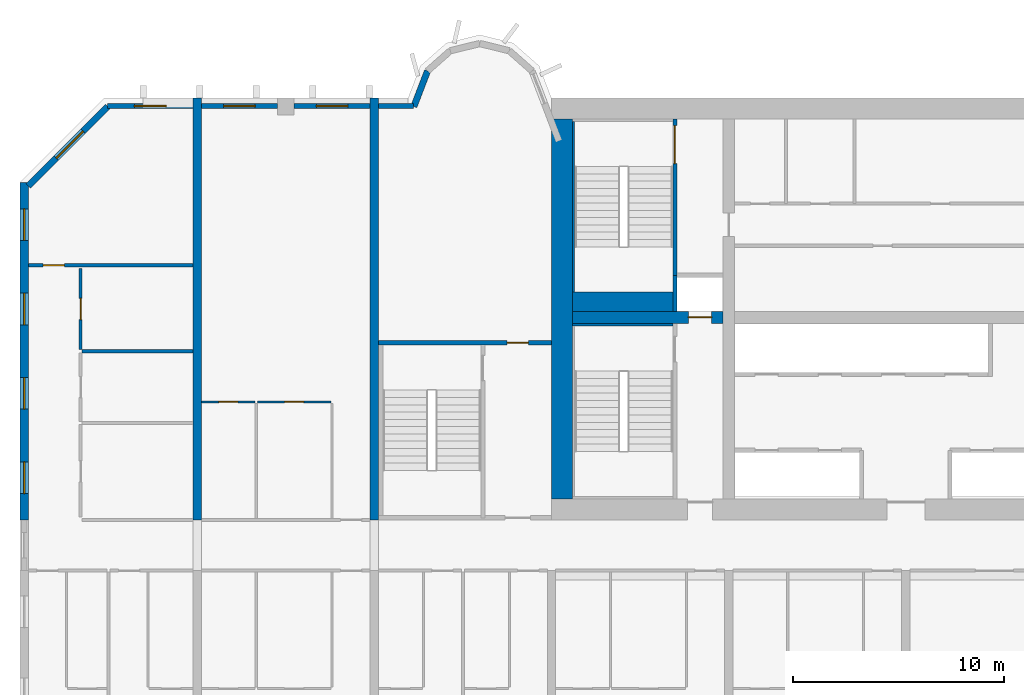
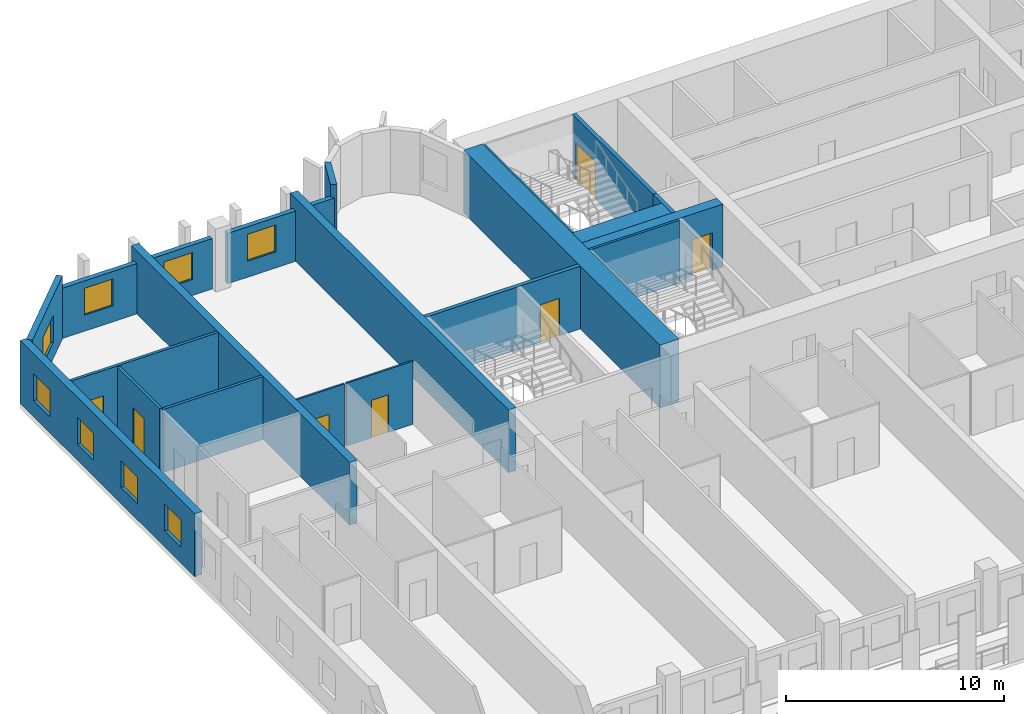
# One storey, part 6 of 14: 22 walls, 8 windows, 7 doors, 15 openings.
"""IFC4 building model written with IfcOpenShell, lengths in metres."""

from ifc_helpers import new_model, si_unit, direction, frame, frame_2d, origin, place, context, subcontext, project, spatial, rectangle, extrude, source, transform, mapped, material, layer, layer_set, type_object, element, fill, save


model = new_model("IFC4")

# Units and contexts
model_context = context("Model", 3, precision=1e-05, world=origin(), true_north=direction((0.0, 1.0)))
body_context = subcontext(model_context, "Body", "Model", "MODEL_VIEW")
ifc_project = project(units=[si_unit("LENGTHUNIT", "METRE"), si_unit("AREAUNIT", "SQUARE_METRE"), si_unit("VOLUMEUNIT", "CUBIC_METRE"), si_unit("PLANEANGLEUNIT", "RADIAN"), si_unit("MASSUNIT", "GRAM", prefix="KILO")], contexts=[model_context])

# Site, building, storey
site_placement = place(None, origin())
site = spatial("IfcSite", under=ifc_project, at=site_placement, CompositionType="ELEMENT")
building_placement = place(site_placement, origin())
building = spatial("IfcBuilding", under=site, at=building_placement, Name="Vanashikhar Sky Hotel", CompositionType="ELEMENT")
storey_placement = place(building_placement, frame((0.0, 0.0, 54.39990234375)))
storey = spatial("IfcBuildingStorey", under=building, at=storey_placement, Name="L12", CompositionType="ELEMENT", Elevation=54.39990234375)

# Wall
ifc_material_1 = material(Name="Concrete M80", Category="concrete")
ifc_layer_1 = layer(ifc_material_1, 1.0)
ifc_layer_set_1 = layer_set([ifc_layer_1], Name="RC core shell wall 1000 Concrete M80")
wall_type_1 = type_object("IfcWallType", Name="RC core shell wall 1000 Concrete M80", PredefinedType="SHEAR", material=ifc_layer_set_1)
shared_shape_1 = source(origin(), body_context, "Body", "SweptSolid", [
    extrude(rectangle(XDim=18.0, YDim=1.0, at=frame_2d((9.0, 0.0))), origin(), (0.0, 0.0, 1.0), 3.52001953125),
])
wall_1_placement = place(storey_placement, frame((25.699951171875, 23.0, 0.0), z_axis=(0.0, 0.0, 1.0), x_axis=(0.0, 1.0, 0.0)))
element("IfcWall", 1, at=wall_1_placement, inside=storey, type_object=wall_type_1, Name="KW-L12-KW", PredefinedType="SHEAR", context=body_context, shape_type="MappedRepresentation", body=[
    mapped(shared_shape_1, transform((0.0, 0.0, 0.0), scale=1.0)),
])

# Wall, opening, door
ifc_layer_2 = layer(ifc_material_1, 0.550048828125)
ifc_layer_set_2 = layer_set([ifc_layer_2], Name="RC core inner wall 550 Concrete M80")
wall_type_2 = type_object("IfcWallType", Name="RC core inner wall 550 Concrete M80", PredefinedType="SHEAR", material=ifc_layer_set_2)
shared_shape_2 = source(origin(), body_context, "Body", "SweptSolid", [
    extrude(rectangle(XDim=7.125, YDim=0.550048828125, at=frame_2d((3.5625, 0.0))), origin(), (0.0, 0.0, 1.0), 3.52001953125),
])
wall_2_placement = place(storey_placement, frame((26.199951171875, 31.60009765625, 0.0), z_axis=(0.0, 0.0, 1.0), x_axis=(1.0, 0.0, 0.0)))
wall_2 = element("IfcWall", 2, at=wall_2_placement, inside=storey, type_object=wall_type_2, Name="KW-L12-KY1", PredefinedType="SHEAR", context=body_context, shape_type="MappedRepresentation", body=[
    mapped(shared_shape_2, transform((0.0, 0.0, 0.0), scale=1.0)),
])
shared_shape_3 = source(origin(), body_context, "Body", "SweptSolid", [
    extrude(rectangle(XDim=1.10009765625, YDim=2.10009765625, at=frame_2d((0.550048828125, 1.050048828125))), frame((0.0, 0.28515625, 0.0), z_axis=(0.0, -1.0, 0.0), x_axis=(1.0, 0.0, 0.0)), (0.0, 0.0, 1.0), 0.570068359375),
])
opening_1_placement = place(wall_2_placement, frame((5.488037109375, 0.0, 0.0)))
opening_1 = element("IfcOpeningElement", 3, at=opening_1_placement, cuts=wall_2, Name="Opening LD", PredefinedType="OPENING", context=body_context, shape_type="MappedRepresentation", body=[
    mapped(shared_shape_3, transform((0.0, 0.0, 0.0), scale=1.0)),
])
ifc_material_2 = material(Name="Stainless steel", Category="steel")
door_type_1 = type_object("IfcDoorType", Name="Lift landing door 1100", OperationType="NOTDEFINED", PredefinedType="DOOR", material=ifc_material_2)
shared_shape_4 = source(origin(), body_context, "Body", "SweptSolid", [
    extrude(rectangle(XDim=1.10009765625, YDim=2.10009765625, at=frame_2d((0.550048828125, 1.050048828125))), frame((0.0, 0.02490234375, 0.0), z_axis=(0.0, -1.0, 0.0), x_axis=(1.0, 0.0, 0.0)), (0.0, 0.0, 1.0), 0.050048828125),
])
door_1_placement = place(opening_1_placement, origin())
door_1 = element("IfcDoor", 4, at=door_1_placement, inside=storey, type_object=door_type_1, Name="Lift landing door 1100", OperationType="SLIDING_TO_LEFT", OverallHeight=2.10009765625, OverallWidth=1.10009765625, PredefinedType="DOOR", context=body_context, shape_type="MappedRepresentation", body=[
    mapped(shared_shape_4, transform((0.0, 0.0, 0.0), scale=1.0)),
])
fill(opening_1, door_1)

# Wall, openings, windows
ifc_layer_3 = layer(ifc_material_1, 0.39990234375)
ifc_layer_set_3 = layer_set([ifc_layer_3], Name="RC shear wall 400 Concrete M80")
wall_type_3 = type_object("IfcWallType", Name="RC shear wall 400 Concrete M80", PredefinedType="SHEAR", material=ifc_layer_set_3)
shared_shape_5 = source(origin(), body_context, "Body", "SweptSolid", [
    extrude(rectangle(XDim=16.0, YDim=0.39990234375, at=frame_2d((8.0, 0.0))), origin(), (0.0, 0.0, 1.0), 3.52001953125),
])
wall_3_placement = place(storey_placement, frame((0.199951171875, 22.0, 0.0), z_axis=(0.0, 0.0, 1.0), x_axis=(0.0, 1.0, 0.0)))
wall_3 = element("IfcWall", 5, at=wall_3_placement, inside=storey, type_object=wall_type_3, Name="CW-L12-XW01-2", PredefinedType="SHEAR", context=body_context, shape_type="MappedRepresentation", body=[
    mapped(shared_shape_5, transform((0.0, 0.0, 0.0), scale=1.0)),
])
shared_shape_6 = source(origin(), body_context, "Body", "SweptSolid", [
    extrude(rectangle(XDim=1.5, YDim=1.5, at=frame_2d((0.75, 0.75))), frame((0.0, 0.2099609375, 0.0), z_axis=(0.0, -1.0, 0.0), x_axis=(1.0, 0.0, 0.0)), (0.0, 0.0, 1.0), 0.419921875),
])
opening_2_placement = place(wall_3_placement, frame((1.25, 0.0, 0.89990234375)))
opening_2 = element("IfcOpeningElement", 6, at=opening_2_placement, cuts=wall_3, Name="Opening WN-1", PredefinedType="OPENING", context=body_context, shape_type="MappedRepresentation", body=[
    mapped(shared_shape_6, transform((0.0, 0.0, 0.0), scale=1.0)),
])
opening_3_placement = place(wall_3_placement, frame((5.25, 0.0, 0.89990234375)))
opening_3 = element("IfcOpeningElement", 7, at=opening_3_placement, cuts=wall_3, Name="Opening WN-1", PredefinedType="OPENING", context=body_context, shape_type="MappedRepresentation", body=[
    mapped(shared_shape_6, transform((0.0, 0.0, 0.0), scale=1.0)),
])
opening_4_placement = place(wall_3_placement, frame((9.25, 0.0, 0.89990234375)))
opening_4 = element("IfcOpeningElement", 8, at=opening_4_placement, cuts=wall_3, Name="Opening WN-1", PredefinedType="OPENING", context=body_context, shape_type="MappedRepresentation", body=[
    mapped(shared_shape_6, transform((0.0, 0.0, 0.0), scale=1.0)),
])
opening_5_placement = place(wall_3_placement, frame((13.25, 0.0, 0.89990234375)))
opening_5 = element("IfcOpeningElement", 9, at=opening_5_placement, cuts=wall_3, Name="Opening WN-1", PredefinedType="OPENING", context=body_context, shape_type="MappedRepresentation", body=[
    mapped(shared_shape_6, transform((0.0, 0.0, 0.0), scale=1.0)),
])
ifc_material_3 = material(Name="Glass", Category="glass")
window_type_1 = type_object("IfcWindowType", Name="Window 1500 x 1500", PartitioningType="SINGLE_PANEL", PredefinedType="WINDOW", material=ifc_material_3)
shared_shape_7 = source(origin(), body_context, "Body", "SweptSolid", [
    extrude(rectangle(XDim=1.5, YDim=1.5, at=frame_2d((0.75, 0.75))), frame((0.0, 0.030029296875, 0.0), z_axis=(0.0, -1.0, 0.0), x_axis=(1.0, 0.0, 0.0)), (0.0, 0.0, 1.0), 0.06005859375),
])
window_1_placement = place(opening_2_placement, origin())
window_1 = element("IfcWindow", 10, at=window_1_placement, inside=storey, type_object=window_type_1, Name="Window WN-1", OverallHeight=1.5, OverallWidth=1.5, PartitioningType="SINGLE_PANEL", PredefinedType="WINDOW", context=body_context, shape_type="MappedRepresentation", body=[
    mapped(shared_shape_7, transform((0.0, 0.0, 0.0), scale=1.0)),
])
fill(opening_2, window_1)
window_2_placement = place(opening_3_placement, origin())
window_2 = element("IfcWindow", 11, at=window_2_placement, inside=storey, type_object=window_type_1, Name="Window WN-1", OverallHeight=1.5, OverallWidth=1.5, PartitioningType="SINGLE_PANEL", PredefinedType="WINDOW", context=body_context, shape_type="MappedRepresentation", body=[
    mapped(shared_shape_7, transform((0.0, 0.0, 0.0), scale=1.0)),
])
fill(opening_3, window_2)
window_3_placement = place(opening_4_placement, origin())
window_3 = element("IfcWindow", 12, at=window_3_placement, inside=storey, type_object=window_type_1, Name="Window WN-1", OverallHeight=1.5, OverallWidth=1.5, PartitioningType="SINGLE_PANEL", PredefinedType="WINDOW", context=body_context, shape_type="MappedRepresentation", body=[
    mapped(shared_shape_7, transform((0.0, 0.0, 0.0), scale=1.0)),
])
fill(opening_4, window_3)
window_4_placement = place(opening_5_placement, origin())
window_4 = element("IfcWindow", 13, at=window_4_placement, inside=storey, type_object=window_type_1, Name="Window WN-1", OverallHeight=1.5, OverallWidth=1.5, PartitioningType="SINGLE_PANEL", PredefinedType="WINDOW", context=body_context, shape_type="MappedRepresentation", body=[
    mapped(shared_shape_7, transform((0.0, 0.0, 0.0), scale=1.0)),
])
fill(opening_5, window_4)

# Walls
shared_shape_8 = source(origin(), body_context, "Body", "SweptSolid", [
    extrude(rectangle(XDim=20.0, YDim=0.39990234375, at=frame_2d((10.0, 0.0))), origin(), (0.0, 0.0, 1.0), 3.52001953125),
])
for number, where, z_axis, x_axis, name in (
    (14, (8.39990234375, 22.0, 0.0), (0.0, 0.0, 1.0), (0.0, 1.0, 0.0), "CW-L12-XW02-2"),
    (15, (16.800048828125, 22.0, 0.0), (0.0, 0.0, 1.0), (0.0, 1.0, 0.0), "CW-L12-XW03-2"),
):
    element("IfcWall", number, at=place(storey_placement, frame(where, z_axis=z_axis, x_axis=x_axis)), inside=storey, type_object=wall_type_3, Name=name, PredefinedType="SHEAR", context=body_context, shape_type="MappedRepresentation", body=[
        mapped(shared_shape_8, transform((0.0, 0.0, 0.0), scale=1.0)),
    ])

# Wall, opening, window
ifc_material_4 = material(Name="Concrete M50", Category="concrete")
ifc_layer_4 = layer(ifc_material_4, 0.300048828125)
ifc_layer_set_4 = layer_set([ifc_layer_4], Name="Lobe wall 300")
wall_type_4 = type_object("IfcWallType", Name="Lobe wall 300", PredefinedType="SOLIDWALL", material=ifc_layer_set_4)
shared_shape_9 = source(origin(), body_context, "Body", "SweptSolid", [
    extrude(rectangle(XDim=5.32568359375, YDim=0.300048828125, at=frame_2d((2.662841796875, 0.0))), origin(), (0.0, 0.0, 1.0), 3.52001953125),
])
wall_4_placement = place(storey_placement, frame((4.165771484375, 41.60009765625, 0.0), z_axis=(0.0, 0.0, 1.0), x_axis=(-0.707106781187, -0.707106781187, 0.0)))
wall_4 = element("IfcWall", 16, at=wall_4_placement, inside=storey, type_object=wall_type_4, Name="Corner wall", PredefinedType="SOLIDWALL", context=body_context, shape_type="MappedRepresentation", body=[
    mapped(shared_shape_9, transform((0.0, 0.0, 0.0), scale=1.0)),
])
shared_shape_10 = source(origin(), body_context, "Body", "SweptSolid", [
    extrude(rectangle(XDim=1.800048828125, YDim=1.5, at=frame_2d((0.89990234375, 0.75))), frame((0.0, 0.16015625, 0.0), z_axis=(0.0, -1.0, 0.0), x_axis=(1.0, 0.0, 0.0)), (0.0, 0.0, 1.0), 0.320068359375),
])
opening_6_placement = place(wall_4_placement, frame((1.654296875, 0.0, 0.89990234375)))
opening_6 = element("IfcOpeningElement", 17, at=opening_6_placement, cuts=wall_4, Name="Opening WN-4", PredefinedType="OPENING", context=body_context, shape_type="MappedRepresentation", body=[
    mapped(shared_shape_10, transform((0.0, 0.0, 0.0), scale=1.0)),
])
window_type_2 = type_object("IfcWindowType", Name="Corner window 1800 x 1500", PartitioningType="SINGLE_PANEL", PredefinedType="WINDOW", material=ifc_material_3)
shared_shape_11 = source(origin(), body_context, "Body", "SweptSolid", [
    extrude(rectangle(XDim=1.800048828125, YDim=1.5, at=frame_2d((0.89990234375, 0.75))), frame((0.0, 0.030029296875, 0.0), z_axis=(0.0, -1.0, 0.0), x_axis=(1.0, 0.0, 0.0)), (0.0, 0.0, 1.0), 0.06005859375),
])
window_5_placement = place(opening_6_placement, origin())
window_5 = element("IfcWindow", 18, at=window_5_placement, inside=storey, type_object=window_type_2, Name="Window WN-4", OverallHeight=1.5, OverallWidth=1.800048828125, PartitioningType="SINGLE_PANEL", PredefinedType="WINDOW", context=body_context, shape_type="MappedRepresentation", body=[
    mapped(shared_shape_11, transform((0.0, 0.0, 0.0), scale=1.0)),
])
fill(opening_6, window_5)

# Walls
shared_shape_12 = source(origin(), body_context, "Body", "SweptSolid", [
    extrude(rectangle(XDim=1.81201171875, YDim=0.300048828125, at=frame_2d((0.906005859375, 0.0))), origin(), (0.0, 0.0, 1.0), 3.52001953125),
])
wall_5_placement = place(storey_placement, frame((19.323486328125, 43.2919921875, 0.0), z_axis=(0.0, 0.0, 1.0), x_axis=(-0.357877270961, -0.93376863244, 0.0)))
element("IfcWall", 19, at=wall_5_placement, inside=storey, type_object=wall_type_4, Name="Lobe wall", PredefinedType="SOLIDWALL", context=body_context, shape_type="MappedRepresentation", body=[
    mapped(shared_shape_12, transform((0.0, 0.0, 0.0), scale=1.0)),
])
ifc_layer_5 = layer(ifc_material_4, 0.25)
ifc_layer_set_5 = layer_set([ifc_layer_5], Name="Rear and end board-marked wall 250")
wall_type_5 = type_object("IfcWallType", Name="Rear and end board-marked wall 250", PredefinedType="SOLIDWALL", material=ifc_layer_set_5)
shared_shape_13 = source(origin(), body_context, "Body", "SweptSolid", [
    extrude(rectangle(XDim=1.657958984375, YDim=0.25, at=frame_2d((0.8291015625, 0.0))), origin(), (0.0, 0.0, 1.0), 2.820068359375),
])
wall_6_placement = place(storey_placement, frame((18.657958984375, 41.625, 0.0), z_axis=(0.0, 0.0, 1.0), x_axis=(-1.0, 0.0, 0.0)))
element("IfcWall", 20, at=wall_6_placement, inside=storey, type_object=wall_type_5, Name="Rear board-marked wall", PredefinedType="SOLIDWALL", context=body_context, shape_type="MappedRepresentation", body=[
    mapped(shared_shape_13, transform((0.0, 0.0, 0.0), scale=1.0)),
])

# Wall, opening, window
shared_shape_14 = source(origin(), body_context, "Body", "SweptSolid", [
    extrude(rectangle(XDim=3.60009765625, YDim=0.25, at=frame_2d((1.800048828125, 0.0))), origin(), (0.0, 0.0, 1.0), 2.820068359375),
])
wall_7_placement = place(storey_placement, frame((16.60009765625, 41.625, 0.0), z_axis=(0.0, 0.0, 1.0), x_axis=(-1.0, 0.0, 0.0)))
wall_7 = element("IfcWall", 21, at=wall_7_placement, inside=storey, type_object=wall_type_5, Name="Rear board-marked wall", PredefinedType="SOLIDWALL", context=body_context, shape_type="MappedRepresentation", body=[
    mapped(shared_shape_14, transform((0.0, 0.0, 0.0), scale=1.0)),
])
shared_shape_15 = source(origin(), body_context, "Body", "SweptSolid", [
    extrude(rectangle(XDim=1.5, YDim=1.5, at=frame_2d((0.75, 0.75))), frame((0.0, 0.135009765625, 0.0), z_axis=(0.0, -1.0, 0.0), x_axis=(1.0, 0.0, 0.0)), (0.0, 0.0, 1.0), 0.27001953125),
])
opening_7_placement = place(wall_7_placement, frame((1.050048828125, 0.0, 0.89990234375)))
opening_7 = element("IfcOpeningElement", 22, at=opening_7_placement, cuts=wall_7, Name="Opening WN-1", PredefinedType="OPENING", context=body_context, shape_type="MappedRepresentation", body=[
    mapped(shared_shape_15, transform((0.0, 0.0, 0.0), scale=1.0)),
])
window_6_placement = place(opening_7_placement, origin())
window_6 = element("IfcWindow", 23, at=window_6_placement, inside=storey, type_object=window_type_1, Name="Window WN-1", OverallHeight=1.5, OverallWidth=1.5, PartitioningType="SINGLE_PANEL", PredefinedType="WINDOW", context=body_context, shape_type="MappedRepresentation", body=[
    mapped(shared_shape_7, transform((0.0, 0.0, 0.0), scale=1.0)),
])
fill(opening_7, window_6)

shared_shape_16 = source(origin(), body_context, "Body", "SweptSolid", [
    extrude(rectangle(XDim=3.599853515625, YDim=0.25, at=frame_2d((1.7998046875, 0.0))), origin(), (0.0, 0.0, 1.0), 2.820068359375),
])
wall_8_placement = place(storey_placement, frame((12.199951171875, 41.625, 0.0), z_axis=(0.0, 0.0, 1.0), x_axis=(-1.0, 0.0, 0.0)))
wall_8 = element("IfcWall", 24, at=wall_8_placement, inside=storey, type_object=wall_type_5, Name="Rear board-marked wall", PredefinedType="SOLIDWALL", context=body_context, shape_type="MappedRepresentation", body=[
    mapped(shared_shape_16, transform((0.0, 0.0, 0.0), scale=1.0)),
])
opening_8_placement = place(wall_8_placement, frame((1.050048828125, 0.0, 0.89990234375)))
opening_8 = element("IfcOpeningElement", 25, at=opening_8_placement, cuts=wall_8, Name="Opening WN-1", PredefinedType="OPENING", context=body_context, shape_type="MappedRepresentation", body=[
    mapped(shared_shape_15, transform((0.0, 0.0, 0.0), scale=1.0)),
])
window_7_placement = place(opening_8_placement, origin())
window_7 = element("IfcWindow", 26, at=window_7_placement, inside=storey, type_object=window_type_1, Name="Window WN-1", OverallHeight=1.5, OverallWidth=1.5, PartitioningType="SINGLE_PANEL", PredefinedType="WINDOW", context=body_context, shape_type="MappedRepresentation", body=[
    mapped(shared_shape_7, transform((0.0, 0.0, 0.0), scale=1.0)),
])
fill(opening_8, window_7)

shared_shape_17 = source(origin(), body_context, "Body", "SweptSolid", [
    extrude(rectangle(XDim=4.044677734375, YDim=0.25, at=frame_2d((2.0224609375, 0.0))), origin(), (0.0, 0.0, 1.0), 2.820068359375),
])
wall_9_placement = place(storey_placement, frame((8.199951171875, 41.625, 0.0), z_axis=(0.0, 0.0, 1.0), x_axis=(-1.0, 0.0, 0.0)))
wall_9 = element("IfcWall", 27, at=wall_9_placement, inside=storey, type_object=wall_type_5, Name="Rear board-marked wall", PredefinedType="SOLIDWALL", context=body_context, shape_type="MappedRepresentation", body=[
    mapped(shared_shape_17, transform((0.0, 0.0, 0.0), scale=1.0)),
])
opening_9_placement = place(wall_9_placement, frame((1.2724609375, 0.0, 0.89990234375)))
opening_9 = element("IfcOpeningElement", 28, at=opening_9_placement, cuts=wall_9, Name="Opening WN-1", PredefinedType="OPENING", context=body_context, shape_type="MappedRepresentation", body=[
    mapped(shared_shape_15, transform((0.0, 0.0, 0.0), scale=1.0)),
])
window_8_placement = place(opening_9_placement, origin())
window_8 = element("IfcWindow", 29, at=window_8_placement, inside=storey, type_object=window_type_1, Name="Window WN-1", OverallHeight=1.5, OverallWidth=1.5, PartitioningType="SINGLE_PANEL", PredefinedType="WINDOW", context=body_context, shape_type="MappedRepresentation", body=[
    mapped(shared_shape_7, transform((0.0, 0.0, 0.0), scale=1.0)),
])
fill(opening_9, window_8)

# Wall, opening, door
ifc_layer_6 = layer(ifc_material_4, 0.199951171875)
ifc_layer_set_6 = layer_set([ifc_layer_6], Name="Stair wall 200")
wall_type_6 = type_object("IfcWallType", Name="Stair wall 200", PredefinedType="SOLIDWALL", material=ifc_layer_set_6)
shared_shape_18 = source(origin(), body_context, "Body", "SweptSolid", [
    extrude(rectangle(XDim=8.199951171875, YDim=0.199951171875, at=frame_2d((4.10009765625, 0.0))), origin(), (0.0, 0.0, 1.0), 3.52001953125),
])
wall_10_placement = place(storey_placement, frame((17.0, 30.39990234375, 0.0), z_axis=(0.0, 0.0, 1.0), x_axis=(1.0, 0.0, 0.0)))
wall_10 = element("IfcWall", 30, at=wall_10_placement, inside=storey, type_object=wall_type_6, Name="Stair wall 200", PredefinedType="SOLIDWALL", context=body_context, shape_type="MappedRepresentation", body=[
    mapped(shared_shape_18, transform((0.0, 0.0, 0.0), scale=1.0)),
])
shared_shape_19 = source(origin(), body_context, "Body", "SweptSolid", [
    extrude(rectangle(XDim=1.0, YDim=2.10009765625, at=frame_2d((0.5, 1.050048828125))), frame((0.0, 0.10986328125, 0.0), z_axis=(0.0, -1.0, 0.0), x_axis=(1.0, 0.0, 0.0)), (0.0, 0.0, 1.0), 0.219970703125),
])
opening_10_placement = place(wall_10_placement, frame((6.10009765625, 0.0, 0.0)))
opening_10 = element("IfcOpeningElement", 31, at=opening_10_placement, cuts=wall_10, Name="Opening DC-6", PredefinedType="OPENING", context=body_context, shape_type="MappedRepresentation", body=[
    mapped(shared_shape_19, transform((0.0, 0.0, 0.0), scale=1.0)),
])
ifc_material_5 = material(Name="Steel", Category="steel")
door_type_2 = type_object("IfcDoorType", Name="Pocket door 1000 FD60", OperationType="NOTDEFINED", PredefinedType="DOOR", material=ifc_material_5)
shared_shape_20 = source(origin(), body_context, "Body", "SweptSolid", [
    extrude(rectangle(XDim=1.0, YDim=2.10009765625, at=frame_2d((0.5, 1.050048828125))), frame((0.0, 0.02490234375, 0.0), z_axis=(0.0, -1.0, 0.0), x_axis=(1.0, 0.0, 0.0)), (0.0, 0.0, 1.0), 0.050048828125),
])
door_2_placement = place(opening_10_placement, origin())
door_2 = element("IfcDoor", 32, at=door_2_placement, inside=storey, type_object=door_type_2, Name="Pocket door 1000 FD60", OperationType="SINGLE_SWING_RIGHT", OverallHeight=2.10009765625, OverallWidth=1.0, PredefinedType="DOOR", context=body_context, shape_type="MappedRepresentation", body=[
    mapped(shared_shape_20, transform((0.0, 0.0, 0.0), scale=1.0)),
])
fill(opening_10, door_2)

# Walls
ifc_layer_7 = layer(ifc_material_4, 0.10009765625)
ifc_layer_set_7 = layer_set([ifc_layer_7], Name="Stair infill wall 100")
wall_type_7 = type_object("IfcWallType", Name="Stair infill wall 100", PredefinedType="SOLIDWALL", material=ifc_layer_set_7)
shared_shape_21 = source(origin(), body_context, "Body", "SweptSolid", [
    extrude(rectangle(XDim=8.099853515625, YDim=0.10009765625, at=frame_2d((4.0498046875, 0.0))), origin(), (0.0, 0.0, 1.0), 3.52001953125),
])
wall_11_placement = place(storey_placement, frame((26.25, 32.800048828125, 0.0), z_axis=(0.0, 0.0, 1.0), x_axis=(0.0, 1.0, 0.0)))
element("IfcWall", 33, at=wall_11_placement, inside=storey, type_object=wall_type_7, Name="Stair infill wall 100", PredefinedType="SOLIDWALL", context=body_context, shape_type="MappedRepresentation", body=[
    mapped(shared_shape_21, transform((0.0, 0.0, 0.0), scale=1.0)),
])
ifc_material_6 = material(Name="Concrete M40", Category="concrete")
ifc_layer_8 = layer(ifc_material_6, 0.199951171875)
ifc_layer_set_8 = layer_set([ifc_layer_8], Name="Shaft wall 200")
wall_type_8 = type_object("IfcWallType", Name="Shaft wall 200", PredefinedType="SOLIDWALL", material=ifc_layer_set_8)
shared_shape_22 = source(origin(), body_context, "Body", "SweptSolid", [
    extrude(rectangle(XDim=1.72509765625, YDim=0.199951171875, at=frame_2d((0.862548828125, 0.0))), origin(), (0.0, 0.0, 1.0), 3.52001953125),
])
wall_12_placement = place(storey_placement, frame((31.050048828125, 31.875, 0.0), z_axis=(0.0, 0.0, 1.0), x_axis=(0.0, 1.0, 0.0)))
element("IfcWall", 34, at=wall_12_placement, inside=storey, type_object=wall_type_8, Name="Shaft wall 200", PredefinedType="SOLIDWALL", context=body_context, shape_type="MappedRepresentation", body=[
    mapped(shared_shape_22, transform((0.0, 0.0, 0.0), scale=1.0)),
])

# Wall, opening, door
shared_shape_23 = source(origin(), body_context, "Body", "SweptSolid", [
    extrude(rectangle(XDim=7.39990234375, YDim=0.199951171875, at=frame_2d((3.699951171875, 0.0))), origin(), (0.0, 0.0, 1.0), 3.52001953125),
])
wall_13_placement = place(storey_placement, frame((31.050048828125, 33.60009765625, 0.0), z_axis=(0.0, 0.0, 1.0), x_axis=(0.0, 1.0, 0.0)))
wall_13 = element("IfcWall", 35, at=wall_13_placement, inside=storey, type_object=wall_type_6, Name="Stair wall 200", PredefinedType="SOLIDWALL", context=body_context, shape_type="MappedRepresentation", body=[
    mapped(shared_shape_23, transform((0.0, 0.0, 0.0), scale=1.0)),
])
shared_shape_24 = source(origin(), body_context, "Body", "SweptSolid", [
    extrude(rectangle(XDim=1.800048828125, YDim=2.10009765625, at=frame_2d((0.89990234375, 1.050048828125))), frame((0.0, 0.10986328125, 0.0), z_axis=(0.0, -1.0, 0.0), x_axis=(1.0, 0.0, 0.0)), (0.0, 0.0, 1.0), 0.219970703125),
])
opening_11_placement = place(wall_13_placement, frame((5.300048828125, 0.0, 0.0)))
opening_11 = element("IfcOpeningElement", 36, at=opening_11_placement, cuts=wall_13, Name="Opening DC-1-A", PredefinedType="OPENING", context=body_context, shape_type="MappedRepresentation", body=[
    mapped(shared_shape_24, transform((0.0, 0.0, 0.0), scale=1.0)),
])
door_type_3 = type_object("IfcDoorType", Name="Stair door 1800 FD120", OperationType="NOTDEFINED", PredefinedType="DOOR", material=ifc_material_5)
shared_shape_25 = source(origin(), body_context, "Body", "SweptSolid", [
    extrude(rectangle(XDim=1.800048828125, YDim=2.10009765625, at=frame_2d((0.89990234375, 1.050048828125))), frame((0.0, 0.02490234375, 0.0), z_axis=(0.0, -1.0, 0.0), x_axis=(1.0, 0.0, 0.0)), (0.0, 0.0, 1.0), 0.050048828125),
])
door_3_placement = place(opening_11_placement, origin())
door_3 = element("IfcDoor", 37, at=door_3_placement, inside=storey, type_object=door_type_3, Name="Stair door 1800 FD120", OperationType="SINGLE_SWING_RIGHT", OverallHeight=2.10009765625, OverallWidth=1.800048828125, PredefinedType="DOOR", context=body_context, shape_type="MappedRepresentation", body=[
    mapped(shared_shape_25, transform((0.0, 0.0, 0.0), scale=1.0)),
])
fill(opening_11, door_3)

# Walls
ifc_layer_9 = layer(ifc_material_4, 0.125)
ifc_layer_set_9 = layer_set([ifc_layer_9], Name="Stair infill wall 125")
wall_type_9 = type_object("IfcWallType", Name="Stair infill wall 125", PredefinedType="SOLIDWALL", material=ifc_layer_set_9)
shared_shape_26 = source(origin(), body_context, "Body", "SweptSolid", [
    extrude(rectangle(XDim=4.75, YDim=0.125, at=frame_2d((2.375, 0.0))), origin(), (0.0, 0.0, 1.0), 3.52001953125),
])
wall_14_placement = place(storey_placement, frame((26.199951171875, 31.261962890625, 0.0), z_axis=(0.0, 0.0, 1.0), x_axis=(1.0, 0.0, 0.0)))
element("IfcWall", 38, at=wall_14_placement, inside=storey, type_object=wall_type_9, Name="Stair infill wall 125", PredefinedType="SOLIDWALL", context=body_context, shape_type="MappedRepresentation", body=[
    mapped(shared_shape_26, transform((0.0, 0.0, 0.0), scale=1.0)),
])
ifc_layer_10 = layer(ifc_material_4, 0.925048828125)
ifc_layer_set_10 = layer_set([ifc_layer_10], Name="Stair infill wall 925")
wall_type_10 = type_object("IfcWallType", Name="Stair infill wall 925", PredefinedType="SOLIDWALL", material=ifc_layer_set_10)
shared_shape_27 = source(origin(), body_context, "Body", "SweptSolid", [
    extrude(rectangle(XDim=4.75, YDim=0.925048828125, at=frame_2d((2.375, 0.0))), origin(), (0.0, 0.0, 1.0), 3.52001953125),
])
wall_15_placement = place(storey_placement, frame((26.199951171875, 32.3369140625, 0.0), z_axis=(0.0, 0.0, 1.0), x_axis=(1.0, 0.0, 0.0)))
element("IfcWall", 39, at=wall_15_placement, inside=storey, type_object=wall_type_10, Name="Stair infill wall 925", PredefinedType="SOLIDWALL", context=body_context, shape_type="MappedRepresentation", body=[
    mapped(shared_shape_27, transform((0.0, 0.0, 0.0), scale=1.0)),
])

# Wall, opening, door
ifc_material_7 = material(Name="Gypsum plasterboard partition")
ifc_layer_11 = layer(ifc_material_7, 0.14990234375)
ifc_layer_set_11 = layer_set([ifc_layer_11], Name="Corridor and demising partition 150")
wall_type_11 = type_object("IfcWallType", Name="Corridor and demising partition 150", PredefinedType="PARTITIONING", material=ifc_layer_set_11)
shared_shape_28 = source(origin(), body_context, "Body", "SweptSolid", [
    extrude(rectangle(XDim=3.85009765625, YDim=0.14990234375, at=frame_2d((1.925048828125, 0.0))), origin(), (0.0, 0.0, 1.0), 3.52001953125),
])
wall_16_placement = place(storey_placement, frame((2.875, 30.074951171875, 0.0), z_axis=(0.0, 0.0, 1.0), x_axis=(0.0, 1.0, 0.0)))
wall_16 = element("IfcWall", 40, at=wall_16_placement, inside=storey, type_object=wall_type_11, Name="W-L12-PW078", PredefinedType="PARTITIONING", context=body_context, shape_type="MappedRepresentation", body=[
    mapped(shared_shape_28, transform((0.0, 0.0, 0.0), scale=1.0)),
])
shared_shape_29 = source(origin(), body_context, "Body", "SweptSolid", [
    extrude(rectangle(XDim=1.0, YDim=2.10009765625, at=frame_2d((0.5, 1.050048828125))), frame((0.0, 0.0849609375, 0.0), z_axis=(0.0, -1.0, 0.0), x_axis=(1.0, 0.0, 0.0)), (0.0, 0.0, 1.0), 0.169921875),
])
opening_12_placement = place(wall_16_placement, frame((1.425048828125, 0.0, 0.0)))
opening_12 = element("IfcOpeningElement", 41, at=opening_12_placement, cuts=wall_16, Name="Opening D-01", PredefinedType="OPENING", context=body_context, shape_type="MappedRepresentation", body=[
    mapped(shared_shape_29, transform((0.0, 0.0, 0.0), scale=1.0)),
])
ifc_material_8 = material(Name="Timber fire door", Category="wood")
door_type_4 = type_object("IfcDoorType", Name="Guest entry door 1000 FD30S", OperationType="NOTDEFINED", PredefinedType="DOOR", material=ifc_material_8)
door_4_placement = place(opening_12_placement, origin())
door_4 = element("IfcDoor", 42, at=door_4_placement, inside=storey, type_object=door_type_4, Name="D-L12-044", OperationType="SINGLE_SWING_LEFT", OverallHeight=2.10009765625, OverallWidth=1.0, PredefinedType="DOOR", context=body_context, shape_type="MappedRepresentation", body=[
    mapped(shared_shape_20, transform((0.0, 0.0, 0.0), scale=1.0)),
])
fill(opening_12, door_4)

ifc_layer_12 = layer(ifc_material_7, 0.10009765625)
ifc_layer_set_12 = layer_set([ifc_layer_12], Name="Wet room partition 100")
wall_type_12 = type_object("IfcWallType", Name="Wet room partition 100", PredefinedType="PARTITIONING", material=ifc_layer_set_12)
shared_shape_30 = source(origin(), body_context, "Body", "SweptSolid", [
    extrude(rectangle(XDim=3.5, YDim=0.10009765625, at=frame_2d((1.75, 0.0))), origin(), (0.0, 0.0, 1.0), 3.52001953125),
])
wall_17_placement = place(storey_placement, frame((11.25, 27.60009765625, 0.0), z_axis=(0.0, 0.0, 1.0), x_axis=(1.0, 0.0, 0.0)))
wall_17 = element("IfcWall", 43, at=wall_17_placement, inside=storey, type_object=wall_type_12, Name="W-L12-PW082", PredefinedType="PARTITIONING", context=body_context, shape_type="MappedRepresentation", body=[
    mapped(shared_shape_30, transform((0.0, 0.0, 0.0), scale=1.0)),
])
shared_shape_31 = source(origin(), body_context, "Body", "SweptSolid", [
    extrude(rectangle(XDim=0.89990234375, YDim=2.10009765625, at=frame_2d((0.449951171875, 1.050048828125))), frame((0.0, 0.06005859375, 0.0), z_axis=(0.0, -1.0, 0.0), x_axis=(1.0, 0.0, 0.0)), (0.0, 0.0, 1.0), 0.1201171875),
])
opening_13_placement = place(wall_17_placement, frame((1.300048828125, 0.0, 0.0)))
opening_13 = element("IfcOpeningElement", 44, at=opening_13_placement, cuts=wall_17, Name="Opening D-02", PredefinedType="OPENING", context=body_context, shape_type="MappedRepresentation", body=[
    mapped(shared_shape_31, transform((0.0, 0.0, 0.0), scale=1.0)),
])
ifc_material_9 = material(Name="Timber door", Category="wood")
door_type_5 = type_object("IfcDoorType", Name="Internal door 900", OperationType="NOTDEFINED", PredefinedType="DOOR", material=ifc_material_9)
shared_shape_32 = source(origin(), body_context, "Body", "SweptSolid", [
    extrude(rectangle(XDim=0.89990234375, YDim=2.10009765625, at=frame_2d((0.449951171875, 1.050048828125))), frame((0.0, 0.02490234375, 0.0), z_axis=(0.0, -1.0, 0.0), x_axis=(1.0, 0.0, 0.0)), (0.0, 0.0, 1.0), 0.050048828125),
])
door_5_placement = place(opening_13_placement, origin())
door_5 = element("IfcDoor", 45, at=door_5_placement, inside=storey, type_object=door_type_5, Name="D-L12-046", OperationType="SINGLE_SWING_RIGHT", OverallHeight=2.10009765625, OverallWidth=0.89990234375, PredefinedType="DOOR", context=body_context, shape_type="MappedRepresentation", body=[
    mapped(shared_shape_32, transform((0.0, 0.0, 0.0), scale=1.0)),
])
fill(opening_13, door_5)

shared_shape_33 = source(origin(), body_context, "Body", "SweptSolid", [
    extrude(rectangle(XDim=2.5498046875, YDim=0.10009765625, at=frame_2d((1.27490234375, 0.0))), origin(), (0.0, 0.0, 1.0), 3.52001953125),
])
wall_18_placement = place(storey_placement, frame((8.60009765625, 27.60009765625, 0.0), z_axis=(0.0, 0.0, 1.0), x_axis=(1.0, 0.0, 0.0)))
wall_18 = element("IfcWall", 46, at=wall_18_placement, inside=storey, type_object=wall_type_12, Name="W-L12-PW083", PredefinedType="PARTITIONING", context=body_context, shape_type="MappedRepresentation", body=[
    mapped(shared_shape_33, transform((0.0, 0.0, 0.0), scale=1.0)),
])
opening_14_placement = place(wall_18_placement, frame((0.824951171875, 0.0, 0.0)))
opening_14 = element("IfcOpeningElement", 47, at=opening_14_placement, cuts=wall_18, Name="Opening D-02", PredefinedType="OPENING", context=body_context, shape_type="MappedRepresentation", body=[
    mapped(shared_shape_31, transform((0.0, 0.0, 0.0), scale=1.0)),
])
door_6_placement = place(opening_14_placement, origin())
door_6 = element("IfcDoor", 48, at=door_6_placement, inside=storey, type_object=door_type_5, Name="D-L12-047", OperationType="SINGLE_SWING_RIGHT", OverallHeight=2.10009765625, OverallWidth=0.89990234375, PredefinedType="DOOR", context=body_context, shape_type="MappedRepresentation", body=[
    mapped(shared_shape_32, transform((0.0, 0.0, 0.0), scale=1.0)),
])
fill(opening_14, door_6)

# Wall
shared_shape_34 = source(origin(), body_context, "Body", "SweptSolid", [
    extrude(rectangle(XDim=5.25, YDim=0.14990234375, at=frame_2d((2.625, 0.0))), origin(), (0.0, 0.0, 1.0), 3.52001953125),
])
wall_19_placement = place(storey_placement, frame((2.949951171875, 30.0, 0.0), z_axis=(0.0, 0.0, 1.0), x_axis=(1.0, 0.0, 0.0)))
element("IfcWall", 49, at=wall_19_placement, inside=storey, type_object=wall_type_11, Name="W-L12-PW077", PredefinedType="PARTITIONING", context=body_context, shape_type="MappedRepresentation", body=[
    mapped(shared_shape_34, transform((0.0, 0.0, 0.0), scale=1.0)),
])

# Wall, opening, door
shared_shape_35 = source(origin(), body_context, "Body", "SweptSolid", [
    extrude(rectangle(XDim=7.800048828125, YDim=0.14990234375, at=frame_2d((3.89990234375, 0.0))), origin(), (0.0, 0.0, 1.0), 3.52001953125),
])
wall_20_placement = place(storey_placement, frame((0.39990234375, 34.074951171875, 0.0), z_axis=(0.0, 0.0, 1.0), x_axis=(1.0, 0.0, 0.0)))
wall_20 = element("IfcWall", 50, at=wall_20_placement, inside=storey, type_object=wall_type_11, Name="W-L12-PW079", PredefinedType="PARTITIONING", context=body_context, shape_type="MappedRepresentation", body=[
    mapped(shared_shape_35, transform((0.0, 0.0, 0.0), scale=1.0)),
])
opening_15_placement = place(wall_20_placement, frame((0.699951171875, 0.0, 0.0)))
opening_15 = element("IfcOpeningElement", 51, at=opening_15_placement, cuts=wall_20, Name="Opening D-01", PredefinedType="OPENING", context=body_context, shape_type="MappedRepresentation", body=[
    mapped(shared_shape_29, transform((0.0, 0.0, 0.0), scale=1.0)),
])
door_7_placement = place(opening_15_placement, origin())
door_7 = element("IfcDoor", 52, at=door_7_placement, inside=storey, type_object=door_type_4, Name="D-L12-045", OperationType="SINGLE_SWING_LEFT", OverallHeight=2.10009765625, OverallWidth=1.0, PredefinedType="DOOR", context=body_context, shape_type="MappedRepresentation", body=[
    mapped(shared_shape_20, transform((0.0, 0.0, 0.0), scale=1.0)),
])
fill(opening_15, door_7)

save(model, "model.ifc")
